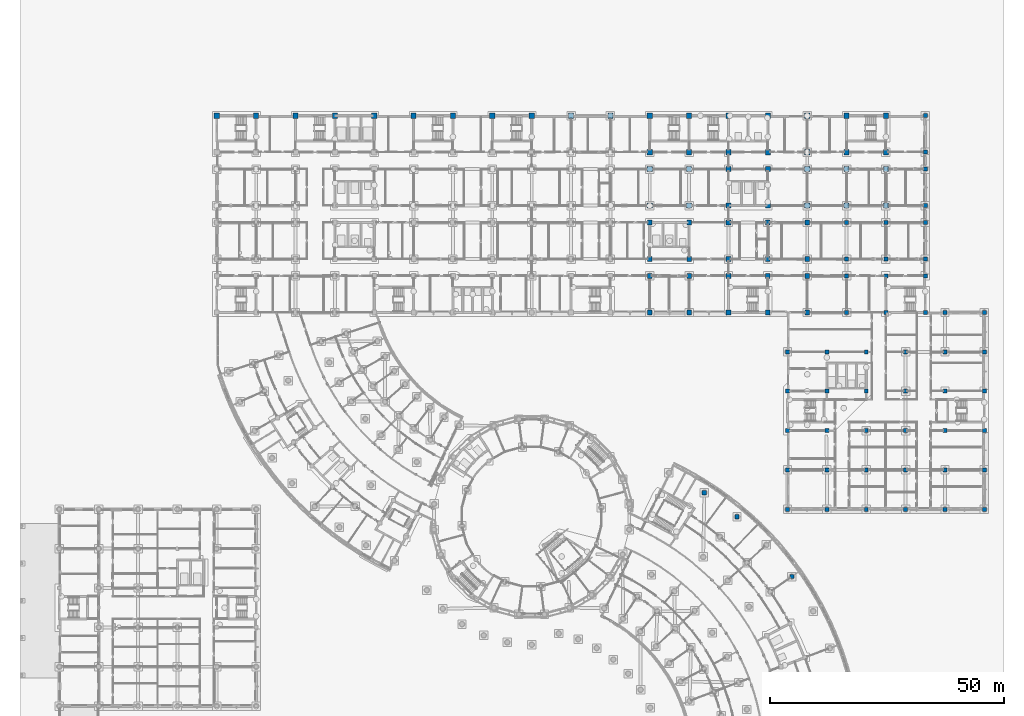
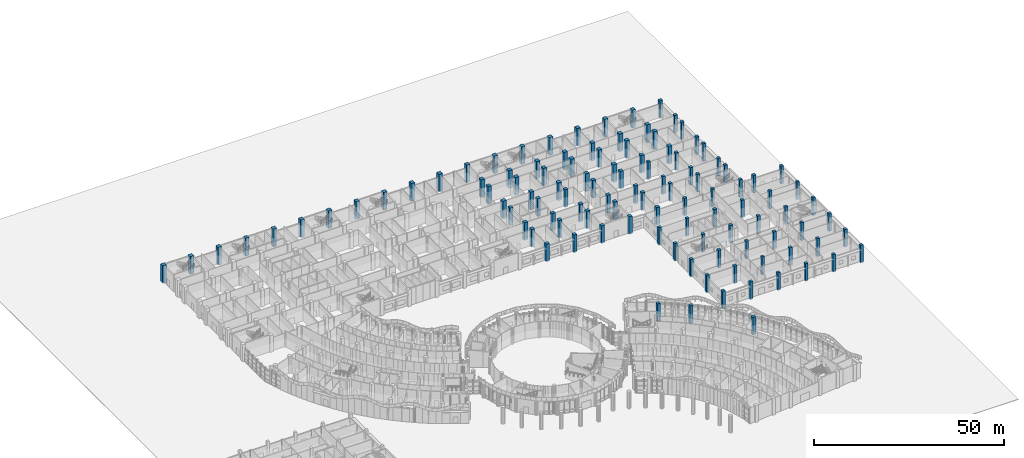
# One storey, part 15 of 146: 110 columns.
"""IFC4 building model written with IfcOpenShell, lengths in metres."""

from ifc_helpers import new_model, si_unit, direction, frame, origin, origin_2d, place, context, subcontext, project, spatial, rectangle, extrude, material, material_profile, profile_set, type_object, element, save


model = new_model("IFC4")

# Units and contexts
model_context = context("Model", 3, precision=1e-05, world=origin(), true_north=direction((0.0, 1.0)))
body_context = subcontext(model_context, "Body", "Model", "MODEL_VIEW")
ifc_project = project(units=[si_unit("LENGTHUNIT", "METRE"), si_unit("AREAUNIT", "SQUARE_METRE"), si_unit("VOLUMEUNIT", "CUBIC_METRE"), si_unit("PLANEANGLEUNIT", "RADIAN"), si_unit("MASSUNIT", "GRAM", prefix="KILO")], contexts=[model_context])

# Site, building, storey
site_placement = place(None, origin())
site = spatial("IfcSite", under=ifc_project, at=site_placement, CompositionType="ELEMENT")
building_placement = place(site_placement, origin())
building = spatial("IfcBuilding", under=site, at=building_placement, Name="Bougainvillea Quay General Hospital", CompositionType="ELEMENT")
storey_placement = place(building_placement, origin())
storey = spatial("IfcBuildingStorey", under=building, at=storey_placement, Name="L00", CompositionType="ELEMENT", Elevation=0.0)

# Columns
ifc_material = material(Name="Concrete C50", Category="concrete")
ifc_material_profile_1 = material_profile(ifc_material, rectangle(XDim=1.0, YDim=1.0, at=origin_2d()))
ifc_profile_set_1 = profile_set([ifc_material_profile_1], Name="Concrete C50")
column_type_1 = type_object("IfcColumnType", Name="RC COL 1000x1000 C50", PredefinedType="COLUMN", material=ifc_profile_set_1)
for number, where, z_axis, x_axis, name in (
    (1, (134.39990234375, 117.60009765625, -0.300048828125), (0.0, 0.0, 1.0), (1.0, 0.0, 0.0), "Column C-V4-110 L00"),
    (2, (134.39990234375, 125.39990234375, -0.300048828125), (0.0, 0.0, 1.0), (1.0, 0.0, 0.0), "Column C-V4-111 L00"),
    (3, (134.39990234375, 129.0, -0.300048828125), (0.0, 0.0, 1.0), (1.0, 0.0, 0.0), "Column C-V4-112 L00"),
    (4, (134.39990234375, 136.800048828125, -0.300048828125), (0.0, 0.0, 1.0), (1.0, 0.0, 0.0), "Column C-V4-113 L00"),
    (5, (142.800048828125, 117.60009765625, -0.300048828125), (0.0, 0.0, 1.0), (1.0, 0.0, 0.0), "Column C-V4-120 L00"),
    (6, (142.800048828125, 125.39990234375, -0.300048828125), (0.0, 0.0, 1.0), (1.0, 0.0, 0.0), "Column C-V4-121 L00"),
    (7, (142.800048828125, 129.0, -0.300048828125), (0.0, 0.0, 1.0), (1.0, 0.0, 0.0), "Column C-V4-122 L00"),
    (8, (142.800048828125, 136.800048828125, -0.300048828125), (0.0, 0.0, 1.0), (1.0, 0.0, 0.0), "Column C-V4-123 L00"),
    (9, (151.199951171875, 117.60009765625, -0.300048828125), (0.0, 0.0, 1.0), (1.0, 0.0, 0.0), "Column C-V4-130 L00"),
    (10, (151.199951171875, 125.39990234375, -0.300048828125), (0.0, 0.0, 1.0), (1.0, 0.0, 0.0), "Column C-V4-131 L00"),
    (11, (151.199951171875, 129.0, -0.300048828125), (0.0, 0.0, 1.0), (1.0, 0.0, 0.0), "Column C-V4-132 L00"),
    (12, (151.199951171875, 136.800048828125, -0.300048828125), (0.0, 0.0, 1.0), (1.0, 0.0, 0.0), "Column C-V4-133 L00"),
    (13, (159.60009765625, 117.60009765625, -0.300048828125), (0.0, 0.0, 1.0), (1.0, 0.0, 0.0), "Column C-V4-140 L00"),
    (14, (159.60009765625, 125.39990234375, -0.300048828125), (0.0, 0.0, 1.0), (1.0, 0.0, 0.0), "Column C-V4-141 L00"),
    (15, (159.60009765625, 129.0, -0.300048828125), (0.0, 0.0, 1.0), (1.0, 0.0, 0.0), "Column C-V4-142 L00"),
    (16, (159.60009765625, 136.800048828125, -0.300048828125), (0.0, 0.0, 1.0), (1.0, 0.0, 0.0), "Column C-V4-143 L00"),
    (17, (168.0, 117.60009765625, -0.300048828125), (0.0, 0.0, 1.0), (1.0, 0.0, 0.0), "Column C-V4-150 L00"),
    (18, (168.0, 125.39990234375, -0.300048828125), (0.0, 0.0, 1.0), (1.0, 0.0, 0.0), "Column C-V4-151 L00"),
    (19, (168.0, 129.0, -0.300048828125), (0.0, 0.0, 1.0), (1.0, 0.0, 0.0), "Column C-V4-152 L00"),
    (20, (168.0, 136.800048828125, -0.300048828125), (0.0, 0.0, 1.0), (1.0, 0.0, 0.0), "Column C-V4-153 L00"),
):
    element("IfcColumn", number, at=place(storey_placement, frame(where, z_axis=z_axis, x_axis=x_axis)), inside=storey, type_object=column_type_1, Name=name, PredefinedType="COLUMN", context=body_context, shape_type="SweptSolid", body=[
        extrude(rectangle(XDim=1.0, YDim=1.0, at=origin_2d()), origin(), (0.0, 0.0, 1.0), 5.699951171875),
    ])
ifc_material_profile_2 = material_profile(ifc_material, rectangle(XDim=1.10009765625, YDim=1.10009765625, at=origin_2d()))
ifc_profile_set_2 = profile_set([ifc_material_profile_2], Name="Concrete C50")
column_type_2 = type_object("IfcColumnType", Name="RC COL 1100x1100 C50", PredefinedType="COLUMN", material=ifc_profile_set_2)
for number, where, z_axis, x_axis, name in (
    (21, (42.0, 159.60009765625, -0.300048828125), (0.0, 0.0, 1.0), (1.0, 0.0, 0.0), "Column C-V4-007 L00"),
    (22, (50.39990234375, 159.60009765625, -0.300048828125), (0.0, 0.0, 1.0), (1.0, 0.0, 0.0), "Column C-V4-017 L00"),
    (23, (58.800048828125, 159.60009765625, -0.300048828125), (0.0, 0.0, 1.0), (1.0, 0.0, 0.0), "Column C-V4-027 L00"),
    (24, (67.199951171875, 159.60009765625, -0.300048828125), (0.0, 0.0, 1.0), (1.0, 0.0, 0.0), "Column C-V4-037 L00"),
    (25, (75.60009765625, 159.60009765625, -0.300048828125), (0.0, 0.0, 1.0), (1.0, 0.0, 0.0), "Column C-V4-047 L00"),
    (26, (84.0, 159.60009765625, -0.300048828125), (0.0, 0.0, 1.0), (1.0, 0.0, 0.0), "Column C-V4-057 L00"),
    (27, (92.39990234375, 159.60009765625, -0.300048828125), (0.0, 0.0, 1.0), (1.0, 0.0, 0.0), "Column C-V4-067 L00"),
    (28, (100.800048828125, 159.60009765625, -0.300048828125), (0.0, 0.0, 1.0), (1.0, 0.0, 0.0), "Column C-V4-077 L00"),
    (29, (109.199951171875, 159.60009765625, -0.300048828125), (0.0, 0.0, 1.0), (1.0, 0.0, 0.0), "Column C-V4-087 L00"),
    (30, (117.60009765625, 159.60009765625, -0.300048828125), (0.0, 0.0, 1.0), (1.0, 0.0, 0.0), "Column C-V4-097 L00"),
    (31, (126.0, 159.60009765625, -0.300048828125), (0.0, 0.0, 1.0), (1.0, 0.0, 0.0), "Column C-V4-107 L00"),
    (32, (134.39990234375, 140.39990234375, -0.300048828125), (0.0, 0.0, 1.0), (1.0, 0.0, 0.0), "Column C-V4-114 L00"),
    (33, (134.39990234375, 148.199951171875, -0.300048828125), (0.0, 0.0, 1.0), (1.0, 0.0, 0.0), "Column C-V4-115 L00"),
    (34, (134.39990234375, 151.800048828125, -0.300048828125), (0.0, 0.0, 1.0), (1.0, 0.0, 0.0), "Column C-V4-116 L00"),
    (35, (134.39990234375, 159.60009765625, -0.300048828125), (0.0, 0.0, 1.0), (1.0, 0.0, 0.0), "Column C-V4-117 L00"),
    (36, (142.800048828125, 140.39990234375, -0.300048828125), (0.0, 0.0, 1.0), (1.0, 0.0, 0.0), "Column C-V4-124 L00"),
    (37, (142.800048828125, 148.199951171875, -0.300048828125), (0.0, 0.0, 1.0), (1.0, 0.0, 0.0), "Column C-V4-125 L00"),
    (38, (142.800048828125, 151.800048828125, -0.300048828125), (0.0, 0.0, 1.0), (1.0, 0.0, 0.0), "Column C-V4-126 L00"),
    (39, (142.800048828125, 159.60009765625, -0.300048828125), (0.0, 0.0, 1.0), (1.0, 0.0, 0.0), "Column C-V4-127 L00"),
    (40, (151.199951171875, 140.39990234375, -0.300048828125), (0.0, 0.0, 1.0), (1.0, 0.0, 0.0), "Column C-V4-134 L00"),
    (41, (151.199951171875, 148.199951171875, -0.300048828125), (0.0, 0.0, 1.0), (1.0, 0.0, 0.0), "Column C-V4-135 L00"),
    (42, (151.199951171875, 151.800048828125, -0.300048828125), (0.0, 0.0, 1.0), (1.0, 0.0, 0.0), "Column C-V4-136 L00"),
    (43, (151.199951171875, 159.60009765625, -0.300048828125), (0.0, 0.0, 1.0), (1.0, 0.0, 0.0), "Column C-V4-137 L00"),
    (44, (159.60009765625, 140.39990234375, -0.300048828125), (0.0, 0.0, 1.0), (1.0, 0.0, 0.0), "Column C-V4-144 L00"),
    (45, (159.60009765625, 148.199951171875, -0.300048828125), (0.0, 0.0, 1.0), (1.0, 0.0, 0.0), "Column C-V4-145 L00"),
    (46, (159.60009765625, 151.800048828125, -0.300048828125), (0.0, 0.0, 1.0), (1.0, 0.0, 0.0), "Column C-V4-146 L00"),
    (47, (159.60009765625, 159.60009765625, -0.300048828125), (0.0, 0.0, 1.0), (1.0, 0.0, 0.0), "Column C-V4-147 L00"),
    (48, (168.0, 140.39990234375, -0.300048828125), (0.0, 0.0, 1.0), (1.0, 0.0, 0.0), "Column C-V4-154 L00"),
    (49, (168.0, 148.199951171875, -0.300048828125), (0.0, 0.0, 1.0), (1.0, 0.0, 0.0), "Column C-V4-155 L00"),
    (50, (168.0, 151.800048828125, -0.300048828125), (0.0, 0.0, 1.0), (1.0, 0.0, 0.0), "Column C-V4-156 L00"),
    (51, (168.0, 159.60009765625, -0.300048828125), (0.0, 0.0, 1.0), (1.0, 0.0, 0.0), "Column C-V4-157 L00"),
    (52, (176.39990234375, 140.39990234375, -0.300048828125), (0.0, 0.0, 1.0), (1.0, 0.0, 0.0), "Column C-V4-164 L00"),
    (53, (176.39990234375, 148.199951171875, -0.300048828125), (0.0, 0.0, 1.0), (1.0, 0.0, 0.0), "Column C-V4-165 L00"),
    (54, (176.39990234375, 151.800048828125, -0.300048828125), (0.0, 0.0, 1.0), (1.0, 0.0, 0.0), "Column C-V4-166 L00"),
    (55, (176.39990234375, 159.60009765625, -0.300048828125), (0.0, 0.0, 1.0), (1.0, 0.0, 0.0), "Column C-V4-167 L00"),
    (56, (184.800048828125, 140.39990234375, -0.300048828125), (0.0, 0.0, 1.0), (1.0, 0.0, 0.0), "Column C-V4-174 L00"),
    (57, (184.800048828125, 148.199951171875, -0.300048828125), (0.0, 0.0, 1.0), (1.0, 0.0, 0.0), "Column C-V4-175 L00"),
    (58, (184.800048828125, 151.800048828125, -0.300048828125), (0.0, 0.0, 1.0), (1.0, 0.0, 0.0), "Column C-V4-176 L00"),
    (59, (184.800048828125, 159.60009765625, -0.300048828125), (0.0, 0.0, 1.0), (1.0, 0.0, 0.0), "Column C-V4-177 L00"),
):
    element("IfcColumn", number, at=place(storey_placement, frame(where, z_axis=z_axis, x_axis=x_axis)), inside=storey, type_object=column_type_2, Name=name, PredefinedType="COLUMN", context=body_context, shape_type="SweptSolid", body=[
        extrude(rectangle(XDim=1.10009765625, YDim=1.10009765625, at=origin_2d()), origin(), (0.0, 0.0, 1.0), 5.699951171875),
    ])
ifc_material_profile_3 = material_profile(ifc_material, rectangle(XDim=0.85009765625, YDim=0.85009765625, at=origin_2d()))
ifc_profile_set_3 = profile_set([ifc_material_profile_3], Name="Concrete C50")
column_type_3 = type_object("IfcColumnType", Name="RC COL 850x850 C50", PredefinedType="COLUMN", material=ifc_profile_set_3)
for number, where, z_axis, x_axis, name in (
    (60, (163.800048828125, 75.60009765625, -0.300048828125), (0.0, 0.0, 1.0), (1.0, 0.0, 0.0), "Column C-V3-00 L00"),
    (61, (163.800048828125, 84.0, -0.300048828125), (0.0, 0.0, 1.0), (1.0, 0.0, 0.0), "Column C-V3-01 L00"),
    (62, (163.800048828125, 92.39990234375, -0.300048828125), (0.0, 0.0, 1.0), (1.0, 0.0, 0.0), "Column C-V3-02 L00"),
    (63, (163.800048828125, 100.800048828125, -0.300048828125), (0.0, 0.0, 1.0), (1.0, 0.0, 0.0), "Column C-V3-03 L00"),
    (64, (163.800048828125, 109.199951171875, -0.300048828125), (0.0, 0.0, 1.0), (1.0, 0.0, 0.0), "Column C-V3-04 L00"),
    (65, (172.199951171875, 75.60009765625, -0.300048828125), (0.0, 0.0, 1.0), (1.0, 0.0, 0.0), "Column C-V3-10 L00"),
    (66, (172.199951171875, 84.0, -0.300048828125), (0.0, 0.0, 1.0), (1.0, 0.0, 0.0), "Column C-V3-11 L00"),
    (67, (172.199951171875, 92.39990234375, -0.300048828125), (0.0, 0.0, 1.0), (1.0, 0.0, 0.0), "Column C-V3-12 L00"),
    (68, (172.199951171875, 100.800048828125, -0.300048828125), (0.0, 0.0, 1.0), (1.0, 0.0, 0.0), "Column C-V3-13 L00"),
    (69, (172.199951171875, 109.199951171875, -0.300048828125), (0.0, 0.0, 1.0), (1.0, 0.0, 0.0), "Column C-V3-14 L00"),
    (70, (176.39990234375, 117.60009765625, -0.300048828125), (0.0, 0.0, 1.0), (1.0, 0.0, 0.0), "Column C-V4-160 L00"),
    (71, (176.39990234375, 125.39990234375, -0.300048828125), (0.0, 0.0, 1.0), (1.0, 0.0, 0.0), "Column C-V4-161 L00"),
    (72, (176.39990234375, 129.0, -0.300048828125), (0.0, 0.0, 1.0), (1.0, 0.0, 0.0), "Column C-V4-162 L00"),
    (73, (176.39990234375, 136.800048828125, -0.300048828125), (0.0, 0.0, 1.0), (1.0, 0.0, 0.0), "Column C-V4-163 L00"),
    (74, (180.60009765625, 75.60009765625, -0.300048828125), (0.0, 0.0, 1.0), (1.0, 0.0, 0.0), "Column C-V3-20 L00"),
    (75, (180.60009765625, 84.0, -0.300048828125), (0.0, 0.0, 1.0), (1.0, 0.0, 0.0), "Column C-V3-21 L00"),
    (76, (180.60009765625, 92.39990234375, -0.300048828125), (0.0, 0.0, 1.0), (1.0, 0.0, 0.0), "Column C-V3-22 L00"),
    (77, (180.60009765625, 100.800048828125, -0.300048828125), (0.0, 0.0, 1.0), (1.0, 0.0, 0.0), "Column C-V3-23 L00"),
    (78, (180.60009765625, 109.199951171875, -0.300048828125), (0.0, 0.0, 1.0), (1.0, 0.0, 0.0), "Column C-V3-24 L00"),
    (79, (184.800048828125, 117.60009765625, -0.300048828125), (0.0, 0.0, 1.0), (1.0, 0.0, 0.0), "Column C-V4-170 L00"),
    (80, (184.800048828125, 125.39990234375, -0.300048828125), (0.0, 0.0, 1.0), (1.0, 0.0, 0.0), "Column C-V4-171 L00"),
    (81, (184.800048828125, 129.0, -0.300048828125), (0.0, 0.0, 1.0), (1.0, 0.0, 0.0), "Column C-V4-172 L00"),
    (82, (184.800048828125, 136.800048828125, -0.300048828125), (0.0, 0.0, 1.0), (1.0, 0.0, 0.0), "Column C-V4-173 L00"),
    (83, (189.0, 75.60009765625, -0.300048828125), (0.0, 0.0, 1.0), (1.0, 0.0, 0.0), "Column C-V3-30 L00"),
    (84, (189.0, 84.0, -0.300048828125), (0.0, 0.0, 1.0), (1.0, 0.0, 0.0), "Column C-V3-31 L00"),
    (85, (189.0, 92.39990234375, -0.300048828125), (0.0, 0.0, 1.0), (1.0, 0.0, 0.0), "Column C-V3-32 L00"),
    (86, (189.0, 100.800048828125, -0.300048828125), (0.0, 0.0, 1.0), (1.0, 0.0, 0.0), "Column C-V3-33 L00"),
    (87, (189.0, 109.199951171875, -0.300048828125), (0.0, 0.0, 1.0), (1.0, 0.0, 0.0), "Column C-V3-34 L00"),
    (88, (193.199951171875, 117.60009765625, -0.300048828125), (0.0, 0.0, 1.0), (1.0, 0.0, 0.0), "Column C-V4-180 L00"),
    (89, (193.199951171875, 125.39990234375, -0.300048828125), (0.0, 0.0, 1.0), (1.0, 0.0, 0.0), "Column C-V4-181 L00"),
    (90, (193.199951171875, 129.0, -0.300048828125), (0.0, 0.0, 1.0), (1.0, 0.0, 0.0), "Column C-V4-182 L00"),
    (91, (193.199951171875, 136.800048828125, -0.300048828125), (0.0, 0.0, 1.0), (1.0, 0.0, 0.0), "Column C-V4-183 L00"),
    (92, (193.199951171875, 140.39990234375, -0.300048828125), (0.0, 0.0, 1.0), (1.0, 0.0, 0.0), "Column C-V4-184 L00"),
    (93, (193.199951171875, 148.199951171875, -0.300048828125), (0.0, 0.0, 1.0), (1.0, 0.0, 0.0), "Column C-V4-185 L00"),
    (94, (193.199951171875, 151.800048828125, -0.300048828125), (0.0, 0.0, 1.0), (1.0, 0.0, 0.0), "Column C-V4-186 L00"),
    (95, (193.199951171875, 159.60009765625, -0.300048828125), (0.0, 0.0, 1.0), (1.0, 0.0, 0.0), "Column C-V4-187 L00"),
    (96, (197.39990234375, 75.60009765625, -0.300048828125), (0.0, 0.0, 1.0), (1.0, 0.0, 0.0), "Column C-V3-40 L00"),
    (97, (197.39990234375, 84.0, -0.300048828125), (0.0, 0.0, 1.0), (1.0, 0.0, 0.0), "Column C-V3-41 L00"),
    (98, (197.39990234375, 92.39990234375, -0.300048828125), (0.0, 0.0, 1.0), (1.0, 0.0, 0.0), "Column C-V3-42 L00"),
    (99, (197.39990234375, 100.800048828125, -0.300048828125), (0.0, 0.0, 1.0), (1.0, 0.0, 0.0), "Column C-V3-43 L00"),
    (100, (197.39990234375, 109.199951171875, -0.300048828125), (0.0, 0.0, 1.0), (1.0, 0.0, 0.0), "Column C-V3-44 L00"),
    (101, (197.39990234375, 117.60009765625, -0.300048828125), (0.0, 0.0, 1.0), (1.0, 0.0, 0.0), "Column C-V3-45 L00"),
    (102, (205.800048828125, 75.60009765625, -0.300048828125), (0.0, 0.0, 1.0), (1.0, 0.0, 0.0), "Column C-V3-50 L00"),
    (103, (205.800048828125, 84.0, -0.300048828125), (0.0, 0.0, 1.0), (1.0, 0.0, 0.0), "Column C-V3-51 L00"),
    (104, (205.800048828125, 92.39990234375, -0.300048828125), (0.0, 0.0, 1.0), (1.0, 0.0, 0.0), "Column C-V3-52 L00"),
    (105, (205.800048828125, 100.800048828125, -0.300048828125), (0.0, 0.0, 1.0), (1.0, 0.0, 0.0), "Column C-V3-53 L00"),
    (106, (205.800048828125, 109.199951171875, -0.300048828125), (0.0, 0.0, 1.0), (1.0, 0.0, 0.0), "Column C-V3-54 L00"),
    (107, (205.800048828125, 117.60009765625, -0.300048828125), (0.0, 0.0, 1.0), (1.0, 0.0, 0.0), "Column C-V3-55 L00"),
):
    element("IfcColumn", number, at=place(storey_placement, frame(where, z_axis=z_axis, x_axis=x_axis)), inside=storey, type_object=column_type_3, Name=name, PredefinedType="COLUMN", context=body_context, shape_type="SweptSolid", body=[
        extrude(rectangle(XDim=0.85009765625, YDim=0.85009765625, at=origin_2d()), origin(), (0.0, 0.0, 1.0), 5.699951171875),
    ])
ifc_material_profile_4 = material_profile(ifc_material, rectangle(XDim=0.89990234375, YDim=0.89990234375, at=origin_2d()))
ifc_profile_set_4 = profile_set([ifc_material_profile_4], Name="Concrete C50")
column_type_4 = type_object("IfcColumnType", Name="RC COL 900x900 C50", PredefinedType="COLUMN", material=ifc_profile_set_4)
for number, where, z_axis, x_axis, name in (
    (108, (146.048095703125, 79.15087890625, -0.300048828125), (0.0, 0.0, 1.0), (1.0, 0.0, 0.0), "Column C-V6-E10 L00"),
    (109, (153.02197265625, 73.99609375, -0.300048828125), (0.0, 0.0, 1.0), (1.0, 0.0, 0.0), "Column C-V6-E20 L00"),
    (110, (164.72998046875, 61.248046875, -0.300048828125), (0.0, 0.0, 1.0), (1.0, 0.0, 0.0), "Column C-V6-E40 L00"),
):
    element("IfcColumn", number, at=place(storey_placement, frame(where, z_axis=z_axis, x_axis=x_axis)), inside=storey, type_object=column_type_4, Name=name, PredefinedType="COLUMN", context=body_context, shape_type="SweptSolid", body=[
        extrude(rectangle(XDim=0.89990234375, YDim=0.89990234375, at=origin_2d()), origin(), (0.0, 0.0, 1.0), 5.699951171875),
    ])

save(model, "model.ifc")
